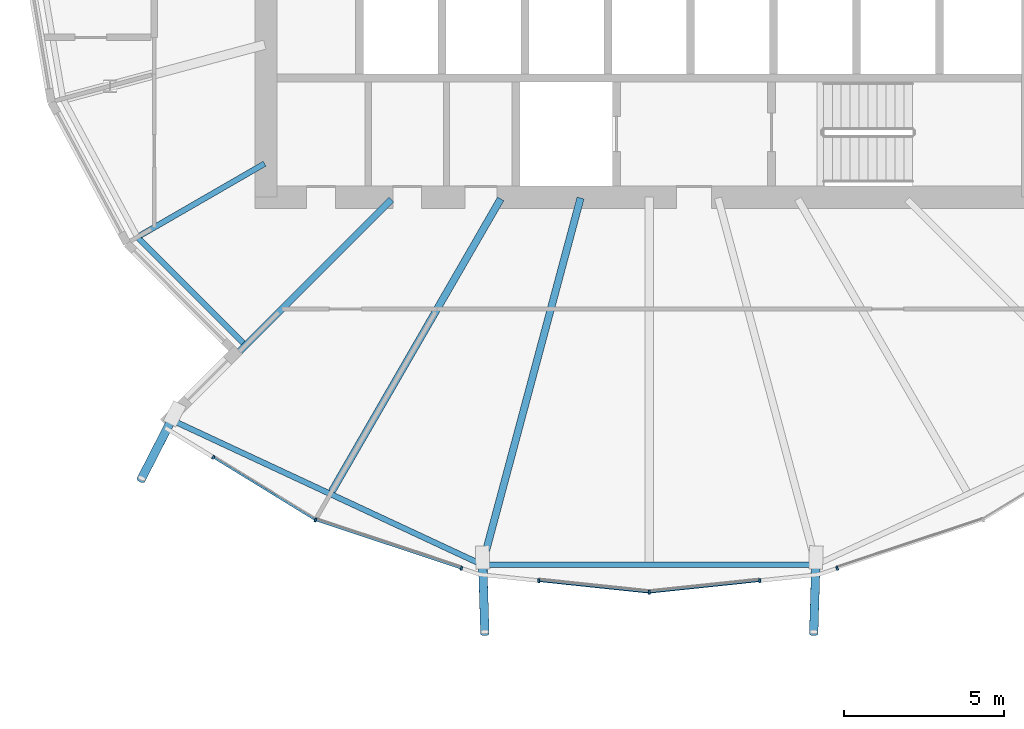
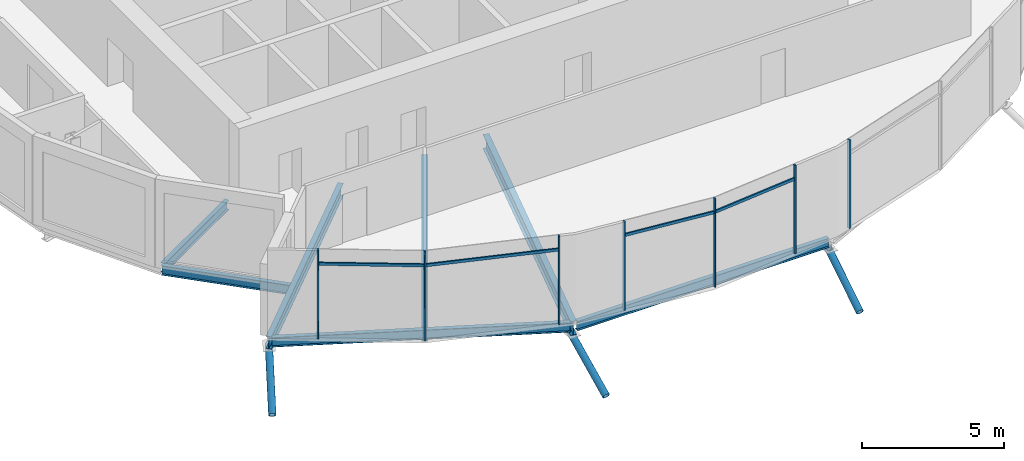
# One storey, part 3 of 40: 14 members, 7 beams, 1 element without a shape of its own.
"""IFC4 building model written with IfcOpenShell, lengths in metres."""

from ifc_helpers import new_model, si_unit, direction, frame, origin, origin_2d, place, context, subcontext, project, spatial, rectangle, hollow_circle, i_section, extrude, clip, halfspace, material, material_profile, profile_set, type_object, element, aggregate, save


model = new_model("IFC4")

# Units and contexts
model_context = context("Model", 3, precision=1e-05, world=origin(), true_north=direction((0.0, 1.0)))
body_context = subcontext(model_context, "Body", "Model", "MODEL_VIEW")
ifc_project = project(units=[si_unit("LENGTHUNIT", "METRE"), si_unit("AREAUNIT", "SQUARE_METRE"), si_unit("VOLUMEUNIT", "CUBIC_METRE"), si_unit("PLANEANGLEUNIT", "RADIAN"), si_unit("MASSUNIT", "GRAM", prefix="KILO")], contexts=[model_context])

# Site, building, storey
site_placement = place(None, origin())
site = spatial("IfcSite", under=ifc_project, at=site_placement, CompositionType="ELEMENT")
building_placement = place(site_placement, origin())
building = spatial("IfcBuilding", under=site, at=building_placement, Name="Rimbun Link Towers", CompositionType="ELEMENT")
storey_placement = place(building_placement, frame((0.0, 0.0, 150.60009765625)))
storey = spatial("IfcBuildingStorey", under=building, at=storey_placement, Name="L36", CompositionType="ELEMENT", Elevation=150.60009765625)

# Curtain wall, members
ifc_material_1 = material(Name="Aluminium 6063-T6 and low-iron glass", Category="aluminium")
curtain_wall_type = type_object("IfcCurtainWallType", Name="CW4 link block wall", PredefinedType="NOTDEFINED", material=ifc_material_1)
curtain_wall_placement = place(storey_placement, origin())
curtain_wall = element("IfcCurtainWall", 1, at=curtain_wall_placement, inside=storey, type_object=curtain_wall_type, Name="CW4 L36 T1", PredefinedType="NOTDEFINED")
ifc_material_2 = material(Name="Aluminium 6063-T6", Category="aluminium")
ifc_material_profile_1 = material_profile(ifc_material_2, rectangle(XDim=0.1201171875, YDim=0.06005859375, at=origin_2d()), Name="MULLION 60X120")
ifc_profile_set_1 = profile_set([ifc_material_profile_1], Name="Aluminium 6063-T6")
member_type_1 = type_object("IfcMemberType", Name="CW4 mullion 60X120", PredefinedType="MULLION", material=ifc_profile_set_1)
member_1_placement = place(storey_placement, frame((-42.20068359375, -18.11181640625, 0.0), z_axis=(0.0, 0.0, 1.0), x_axis=(-0.421697332152, -0.906736654192, 0.0)))
member_1 = element("IfcMember", 2, at=member_1_placement, type_object=member_type_1, Name="CW4 mullion", PredefinedType="MULLION", context=body_context, shape_type="SweptSolid", body=[
    extrude(rectangle(XDim=0.1201171875, YDim=0.06005859375, at=origin_2d()), origin(), (0.0, 0.0, 1.0), 3.7998046875),
])
member_2_placement = place(storey_placement, frame((-45.401611328125, -16.147216796875, 0.0), z_axis=(0.0, 0.0, 1.0), x_axis=(-0.523225378089, -0.852194346217, 0.0)))
member_2 = element("IfcMember", 3, at=member_2_placement, type_object=member_type_1, Name="CW4 mullion", PredefinedType="MULLION", context=body_context, shape_type="SweptSolid", body=[
    extrude(rectangle(XDim=0.1201171875, YDim=0.06005859375, at=origin_2d()), origin(), (0.0, 0.0, 1.0), 3.7998046875),
])
member_3_placement = place(storey_placement, frame((-37.632568359375, -19.626220703125, 0.0), z_axis=(0.0, 0.0, 1.0), x_axis=(-0.314567961741, -0.949234953763, 0.0)))
member_3 = element("IfcMember", 4, at=member_3_placement, type_object=member_type_1, Name="CW4 mullion", PredefinedType="MULLION", context=body_context, shape_type="SweptSolid", body=[
    extrude(rectangle(XDim=0.1201171875, YDim=0.06005859375, at=origin_2d()), origin(), (0.0, 0.0, 1.0), 3.7998046875),
])
member_4_placement = place(storey_placement, frame((-31.75, -20.37548828125, 0.0), z_axis=(0.0, 0.0, 1.0), x_axis=(0.0, -1.0, 0.0)))
member_4 = element("IfcMember", 5, at=member_4_placement, type_object=member_type_1, Name="CW4 mullion", PredefinedType="MULLION", context=body_context, shape_type="SweptSolid", body=[
    extrude(rectangle(XDim=0.1201171875, YDim=0.06005859375, at=origin_2d()), origin(), (0.0, 0.0, 1.0), 3.7998046875),
])
member_5_placement = place(storey_placement, frame((-35.21044921875, -20.011474609375, 0.0), z_axis=(0.0, 0.0, 1.0), x_axis=(-0.104745411125, -0.994499069305, 0.0)))
member_5 = element("IfcMember", 6, at=member_5_placement, type_object=member_type_1, Name="CW4 mullion", PredefinedType="MULLION", context=body_context, shape_type="SweptSolid", body=[
    extrude(rectangle(XDim=0.1201171875, YDim=0.06005859375, at=origin_2d()), origin(), (0.0, 0.0, 1.0), 3.7998046875),
])
member_6_placement = place(storey_placement, frame((-28.28955078125, -20.011474609375, 0.0), z_axis=(0.0, 0.0, 1.0), x_axis=(0.104745411125, -0.994499069305, 0.0)))
member_6 = element("IfcMember", 7, at=member_6_placement, type_object=member_type_1, Name="CW4 mullion", PredefinedType="MULLION", context=body_context, shape_type="SweptSolid", body=[
    extrude(rectangle(XDim=0.1201171875, YDim=0.06005859375, at=origin_2d()), origin(), (0.0, 0.0, 1.0), 3.7998046875),
])
member_7_placement = place(storey_placement, frame((-25.867431640625, -19.626220703125, 0.0), z_axis=(0.0, 0.0, 1.0), x_axis=(0.314567961741, -0.949234953763, 0.0)))
member_7 = element("IfcMember", 8, at=member_7_placement, type_object=member_type_1, Name="CW4 mullion", PredefinedType="MULLION", context=body_context, shape_type="SweptSolid", body=[
    extrude(rectangle(XDim=0.1201171875, YDim=0.06005859375, at=origin_2d()), origin(), (0.0, 0.0, 1.0), 3.7998046875),
])
ifc_material_3 = material(Name="Aluminium 6063-T6", Category="aluminium")
ifc_material_profile_2 = material_profile(ifc_material_3, rectangle(XDim=0.06005859375, YDim=0.1201171875, at=origin_2d()), Name="TRANSOM 60X120")
ifc_profile_set_2 = profile_set([ifc_material_profile_2], Name="Aluminium 6063-T6")
member_type_2 = type_object("IfcMemberType", Name="CW4 transom 60X120", PredefinedType="USERDEFINED", material=ifc_profile_set_2)
member_8_placement = place(storey_placement, frame((-42.2314453125, -18.09130859375, 3.199951171875), z_axis=(-0.85218054514, 0.523247855691, 0.0), x_axis=(-0.523247855691, -0.85218054514, 0.0)))
member_8 = element("IfcMember", 9, at=member_8_placement, type_object=member_type_2, Name="CW4 transom", ObjectType="TRANSOM", PredefinedType="USERDEFINED", context=body_context, shape_type="SweptSolid", body=[
    extrude(rectangle(XDim=0.06005859375, YDim=0.1201171875, at=origin_2d()), origin(), (0.0, 0.0, 1.0), 3.688720703125),
])
member_9_placement = place(storey_placement, frame((-37.660400390625, -19.614990234375, 3.199951171875), z_axis=(-0.949232304469, 0.314575956093, 0.0), x_axis=(-0.314575956093, -0.949232304469, 0.0)))
member_9 = element("IfcMember", 10, at=member_9_placement, type_object=member_type_2, Name="CW4 transom", ObjectType="TRANSOM", PredefinedType="USERDEFINED", context=body_context, shape_type="SweptSolid", body=[
    extrude(rectangle(XDim=0.06005859375, YDim=0.1201171875, at=origin_2d()), origin(), (0.0, 0.0, 1.0), 4.745849609375),
])
member_10_placement = place(storey_placement, frame((-31.785888671875, -20.3701171875, 3.199951171875), z_axis=(-0.994502317074, 0.104714570785, 0.0), x_axis=(-0.104714570785, -0.994502317074, 0.0)))
member_10 = element("IfcMember", 11, at=member_10_placement, type_object=member_type_2, Name="CW4 transom", ObjectType="TRANSOM", PredefinedType="USERDEFINED", context=body_context, shape_type="SweptSolid", body=[
    extrude(rectangle(XDim=0.06005859375, YDim=0.1201171875, at=origin_2d()), origin(), (0.0, 0.0, 1.0), 3.413330078125),
])
member_11_placement = place(storey_placement, frame((-28.319580078125, -20.0126953125, 3.199951171875), z_axis=(-0.994502317074, -0.104714570785, 0.0), x_axis=(0.104714570785, -0.994502317074, 0.0)))
member_11 = element("IfcMember", 12, at=member_11_placement, type_object=member_type_2, Name="CW4 transom", ObjectType="TRANSOM", PredefinedType="USERDEFINED", context=body_context, shape_type="SweptSolid", body=[
    extrude(rectangle(XDim=0.06005859375, YDim=0.1201171875, at=origin_2d()), origin(), (0.0, 0.0, 1.0), 3.413330078125),
])
aggregate(curtain_wall, [member_1, member_2, member_3, member_4, member_5, member_6, member_7, member_8, member_9, member_10, member_11])

# Members
ifc_material_4 = material(Name="Steel S355J2H", Category="steel")
ifc_material_profile_3 = material_profile(ifc_material_4, hollow_circle(Radius=0.136474609375, WallThickness=0.012451171875, at=origin_2d()), Name="CHS 273x12.5")
ifc_profile_set_3 = profile_set([ifc_material_profile_3], Name="Steel S355J2H")
member_type_3 = type_object("IfcMemberType", Name="Floor edge link CHS 273x12.5", PredefinedType="BRACE", material=ifc_profile_set_3)
member_12_placement = place(storey_placement, frame((-46.68701171875, -14.93701171875, -0.8310546875), z_axis=(-0.394942777673, -0.772022835281, -0.497996931886), x_axis=(0.890269507459, -0.455434083144, 0.0)))
element("IfcMember", 13, at=member_12_placement, inside=storey, type_object=member_type_3, Name="Floor edge link T1 L36 15", PredefinedType="BRACE", context=body_context, shape_type="Clipping", body=[
    clip(extrude(hollow_circle(Radius=0.136474609375, WallThickness=0.012451171875, at=origin_2d()), frame((0.0, 0.0, -0.495361328125)), (0.0, 0.0, 1.0), 2.98291015625), halfspace(frame((0.0, 0.0, -0.232666015625), z_axis=(0.0, 0.867178791157, -0.497996931886)), False)),
])
for number, where, z_axis, x_axis, name in (
    (14, (-36.9658203125, -19.465087890625, -0.90185546875), (0.026885981574, -0.876075341842, -0.4814240744), (0.999529421322, 0.030674678673, 0.0), "Floor edge link T1 L36 17"),
    (15, (-26.5341796875, -19.465087890625, -0.90185546875), (-0.026885981574, -0.876075341842, -0.4814240744), (0.999529421322, -0.030674678673, 0.0), "Floor edge link T1 L36 19"),
):
    element("IfcMember", number, at=place(storey_placement, frame(where, z_axis=z_axis, x_axis=x_axis)), inside=storey, type_object=member_type_3, Name=name, PredefinedType="BRACE", context=body_context, shape_type="Clipping", body=[
        clip(extrude(hollow_circle(Radius=0.136474609375, WallThickness=0.012451171875, at=origin_2d()), frame((0.0, 0.0, -0.517822265625)), (0.0, 0.0, 1.0), 3.033203125), halfspace(frame((0.0, 0.0, -0.243408203125), z_axis=(0.0, 0.876487798311, -0.4814240744)), False)),
    ])

# Beams
ifc_material_5 = material(Name="Steel S355J2", Category="steel")
ifc_material_profile_4 = material_profile(ifc_material_5, i_section(OverallWidth=0.177978515625, OverallDepth=0.406494140625, WebThickness=0.0078125, FlangeThickness=0.0126953125, at=origin_2d()), Name="UB 406x178x60")
ifc_profile_set_4 = profile_set([ifc_material_profile_4], Name="Steel S355J2")
beam_type_1 = type_object("IfcBeamType", Name="UB 406x178x60", PredefinedType="BEAM", material=ifc_profile_set_4)
beam_1_placement = place(storey_placement, frame((-43.79541015625, -6.954345703125, -0.38330078125), z_axis=(-0.86601319904, -0.500021138641, 0.0), x_axis=(0.500021138641, -0.86601319904, 0.0)))
element("IfcBeam", 16, at=beam_1_placement, inside=storey, type_object=beam_type_1, Name="Radial beam T1 L36 14", PredefinedType="BEAM", context=body_context, shape_type="SweptSolid", body=[
    extrude(i_section(OverallWidth=0.177978515625, OverallDepth=0.406494140625, WebThickness=0.0078125, FlangeThickness=0.0126953125, at=origin_2d()), origin(), (0.0, 0.0, 1.0), 4.504638671875),
])
beam_2_placement = place(storey_placement, frame((-47.764892578125, -9.261962890625, -0.38330078125), z_axis=(0.707159064582, -0.707054493925, 0.0), x_axis=(0.707054493925, 0.707159064582, 0.0)))
element("IfcBeam", 17, at=beam_2_placement, inside=storey, type_object=beam_type_1, Name="Edge beam T1 L36 14 recess", PredefinedType="BEAM", context=body_context, shape_type="SweptSolid", body=[
    extrude(i_section(OverallWidth=0.177978515625, OverallDepth=0.406494140625, WebThickness=0.0078125, FlangeThickness=0.0126953125, at=origin_2d()), origin(), (0.0, 0.0, 1.0), 4.66943359375),
])
beam_3_placement = place(storey_placement, frame((-46.62060546875, -15.02001953125, -0.38330078125), z_axis=(0.906400585734, -0.422419197222, 0.0), x_axis=(0.422419197222, 0.906400585734, 0.0)))
element("IfcBeam", 18, at=beam_3_placement, inside=storey, type_object=beam_type_1, Name="Edge beam T1 L36 15-17", PredefinedType="BEAM", context=body_context, shape_type="SweptSolid", body=[
    extrude(i_section(OverallWidth=0.177978515625, OverallDepth=0.406494140625, WebThickness=0.0078125, FlangeThickness=0.0126953125, at=origin_2d()), origin(), (0.0, 0.0, 1.0), 10.521240234375),
])
beam_4_placement = place(storey_placement, frame((-36.85986328125, -19.513427734375, -0.38330078125), z_axis=(1.0, 0.0, 0.0), x_axis=(0.0, 1.0, 0.0)))
element("IfcBeam", 19, at=beam_4_placement, inside=storey, type_object=beam_type_1, Name="Edge beam T1 L36 17-19", PredefinedType="BEAM", context=body_context, shape_type="SweptSolid", body=[
    extrude(i_section(OverallWidth=0.177978515625, OverallDepth=0.406494140625, WebThickness=0.0078125, FlangeThickness=0.0126953125, at=origin_2d()), origin(), (0.0, 0.0, 1.0), 10.2197265625),
])
ifc_material_6 = material(Name="Steel S355J2", Category="steel")
ifc_material_profile_5 = material_profile(ifc_material_6, i_section(OverallWidth=0.209228515625, OverallDepth=0.533203125, WebThickness=0.010009765625, FlangeThickness=0.015625, at=origin_2d()), Name="UB 533x210x92")
ifc_profile_set_5 = profile_set([ifc_material_profile_5], Name="Steel S355J2")
beam_type_2 = type_object("IfcBeamType", Name="UB 533x210x92", PredefinedType="BEAM", material=ifc_profile_set_5)
beam_5_placement = place(storey_placement, frame((-39.82470703125, -8.07470703125, -0.44677734375), z_axis=(-0.707106781187, -0.707106781187, 0.0), x_axis=(0.707106781187, -0.707106781187, 0.0)))
element("IfcBeam", 20, at=beam_5_placement, inside=storey, type_object=beam_type_2, Name="Radial beam T1 L36 15", PredefinedType="BEAM", context=body_context, shape_type="SweptSolid", body=[
    extrude(i_section(OverallWidth=0.209228515625, OverallDepth=0.533203125, WebThickness=0.010009765625, FlangeThickness=0.015625, at=origin_2d()), origin(), (0.0, 0.0, 1.0), 9.7548828125),
])
ifc_material_7 = material(Name="Steel S355J2", Category="steel")
ifc_material_profile_6 = material_profile(ifc_material_7, i_section(OverallWidth=0.2275390625, OverallDepth=0.6025390625, WebThickness=0.010498046875, FlangeThickness=0.014892578125, at=origin_2d()), Name="UB 610x229x101")
ifc_profile_set_6 = profile_set([ifc_material_profile_6], Name="Steel S355J2")
beam_type_3 = type_object("IfcBeamType", Name="UB 610x229x101", PredefinedType="BEAM", material=ifc_profile_set_6)
beam_6_placement = place(storey_placement, frame((-36.402099609375, -8.057861328125, -0.4814453125), z_axis=(-0.500014158692, -0.866017229106, 0.0), x_axis=(0.866017229106, -0.500014158692, 0.0)))
element("IfcBeam", 21, at=beam_6_placement, inside=storey, type_object=beam_type_3, Name="Radial beam T1 L36 16", PredefinedType="BEAM", context=body_context, shape_type="SweptSolid", body=[
    extrude(i_section(OverallWidth=0.2275390625, OverallDepth=0.6025390625, WebThickness=0.010498046875, FlangeThickness=0.014892578125, at=origin_2d()), origin(), (0.0, 0.0, 1.0), 10.577392578125),
])
beam_7_placement = place(storey_placement, frame((-33.901611328125, -8.030517578125, -0.4814453125), z_axis=(-0.258824365794, -0.965924400598, 0.0), x_axis=(0.965924400598, -0.258824365794, 0.0)))
element("IfcBeam", 22, at=beam_7_placement, inside=storey, type_object=beam_type_3, Name="Radial beam T1 L36 17", PredefinedType="BEAM", context=body_context, shape_type="SweptSolid", body=[
    extrude(i_section(OverallWidth=0.2275390625, OverallDepth=0.6025390625, WebThickness=0.010498046875, FlangeThickness=0.014892578125, at=origin_2d()), origin(), (0.0, 0.0, 1.0), 11.887939453125),
])

save(model, "model.ifc")
